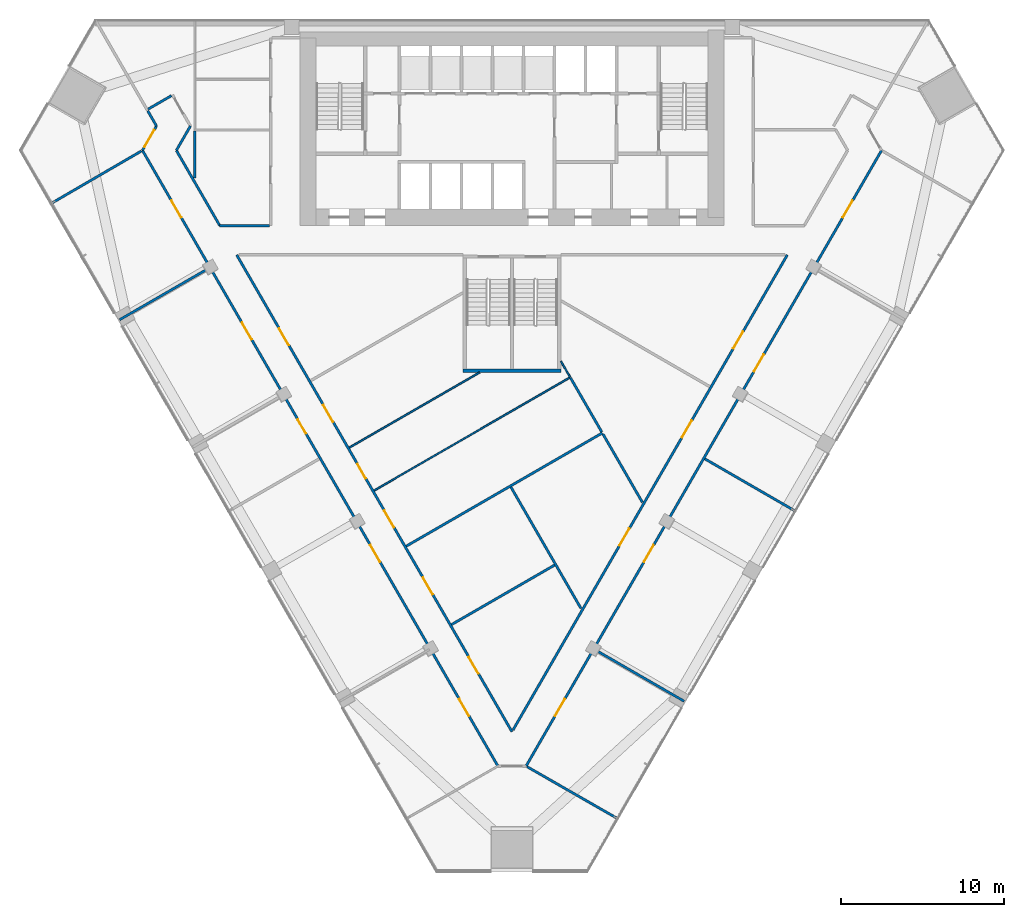
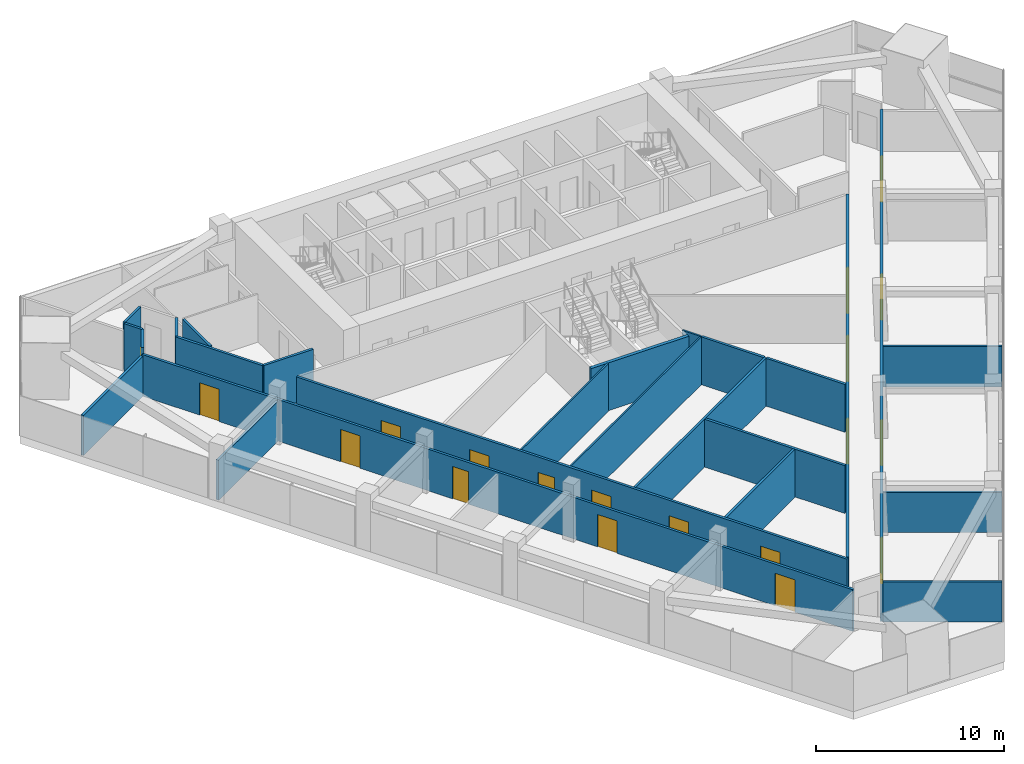
# One storey, part 9 of 14: 25 walls, 19 doors, 19 openings.
"""IFC4 building model written with IfcOpenShell, lengths in metres."""

from ifc_helpers import new_model, si_unit, direction, frame, frame_2d, origin, place, context, subcontext, project, spatial, rectangle, extrude, material, layer, layer_set, type_object, element, fill, save


model = new_model("IFC4")

# Units and contexts
model_context = context("Model", 3, precision=1e-05, world=origin(), true_north=direction((0.0, 1.0)))
body_context = subcontext(model_context, "Body", "Model", "MODEL_VIEW")
ifc_project = project(units=[si_unit("LENGTHUNIT", "METRE"), si_unit("AREAUNIT", "SQUARE_METRE"), si_unit("VOLUMEUNIT", "CUBIC_METRE"), si_unit("PLANEANGLEUNIT", "RADIAN"), si_unit("MASSUNIT", "GRAM", prefix="KILO")], contexts=[model_context])

# Site, building, storey
site_placement = place(None, origin())
site = spatial("IfcSite", under=ifc_project, at=site_placement, CompositionType="ELEMENT")
building_placement = place(site_placement, origin())
building = spatial("IfcBuilding", under=site, at=building_placement, Name="Altiplano Prism Tower", CompositionType="ELEMENT")
storey_placement = place(building_placement, frame((0.0, 0.0, 63.0)))
storey = spatial("IfcBuildingStorey", under=building, at=storey_placement, Name="L15", CompositionType="ELEMENT", Elevation=63.0)

# Walls
ifc_material_1 = material(Name="Plasterboard on steel stud", Category="steel")
ifc_layer_1 = layer(ifc_material_1, 0.10009765625)
ifc_layer_set_1 = layer_set([ifc_layer_1], Name="Plasterboard on steel stud")
wall_type_1 = type_object("IfcWallType", Name="Partition 100 wet", PredefinedType="PARTITIONING", material=ifc_layer_set_1)
wall_1_placement = place(storey_placement, frame((88.568359375, 83.096923828125, 0.0), z_axis=(0.0, 0.0, 1.0), x_axis=(-0.866032668777, -0.499987416453, 0.0)))
element("IfcWall", 1, at=wall_1_placement, inside=storey, type_object=wall_type_1, Name="Partition P03 L15 048", PredefinedType="PARTITIONING", context=body_context, shape_type="SweptSolid", body=[
    extrude(rectangle(XDim=13.878173828125, YDim=0.10009765625, at=frame_2d((6.93896484375, 0.0))), origin(), (0.0, 0.0, 1.0), 3.10009765625),
])
wall_2_placement = place(storey_placement, frame((88.0, 84.081298828125, 0.0), z_axis=(0.0, 0.0, 1.0), x_axis=(0.50001992892, -0.866013897511, 0.0)))
element("IfcWall", 2, at=wall_2_placement, inside=storey, type_object=wall_type_1, Name="Partition P03 L15 050", PredefinedType="PARTITIONING", context=body_context, shape_type="SweptSolid", body=[
    extrude(rectangle(XDim=1.13671875, YDim=0.10009765625, at=frame_2d((0.568359375, 0.0))), origin(), (0.0, 0.0, 1.0), 3.10009765625),
])
wall_3_placement = place(storey_placement, frame((75.031494140625, 78.786865234375, 0.0), z_axis=(0.0, 0.0, 1.0), x_axis=(0.866037972367, 0.499978229945, 0.0)))
element("IfcWall", 3, at=wall_3_placement, inside=storey, type_object=wall_type_1, Name="Partition P03 L15 051", PredefinedType="PARTITIONING", context=body_context, shape_type="SweptSolid", body=[
    extrude(rectangle(XDim=9.2265625, YDim=0.10009765625, at=frame_2d((4.61328125, 0.0))), origin(), (0.0, 0.0, 1.0), 3.10009765625),
])
ifc_layer_2 = layer(ifc_material_1, 0.14990234375)
ifc_layer_set_2 = layer_set([ifc_layer_2], Name="Plasterboard on steel stud")
wall_type_2 = type_object("IfcWallType", Name="Partition 150 corridor", PredefinedType="PARTITIONING", material=ifc_layer_set_2)
wall_4_placement = place(storey_placement, frame((70.125, 92.39990234375, 0.0), z_axis=(0.0, 0.0, 1.0), x_axis=(-1.0, 0.0, 0.0)))
element("IfcWall", 4, at=wall_4_placement, inside=storey, type_object=wall_type_2, Name="Partition P06 L15 003", PredefinedType="PARTITIONING", context=body_context, shape_type="SweptSolid", body=[
    extrude(rectangle(XDim=3.03955078125, YDim=0.14990234375, at=frame_2d((1.519775390625, 0.0))), origin(), (0.0, 0.0, 1.0), 3.10009765625),
])
wall_5_placement = place(storey_placement, frame((67.08544921875, 92.39990234375, 0.0), z_axis=(0.0, 0.0, 1.0), x_axis=(-0.500019109324, 0.86601437073, 0.0)))
element("IfcWall", 5, at=wall_5_placement, inside=storey, type_object=wall_type_2, Name="Partition P06 L15 004", PredefinedType="PARTITIONING", context=body_context, shape_type="SweptSolid", body=[
    extrude(rectangle(XDim=5.319091796875, YDim=0.14990234375, at=frame_2d((2.65966796875, 0.0))), origin(), (0.0, 0.0, 1.0), 3.10009765625),
])
wall_6_placement = place(storey_placement, frame((64.42578125, 97.00634765625, 0.0), z_axis=(0.0, 0.0, 1.0), x_axis=(0.500081852351, 0.86597814115, 0.0)))
element("IfcWall", 6, at=wall_6_placement, inside=storey, type_object=wall_type_2, Name="Partition P06 L15 005", PredefinedType="PARTITIONING", context=body_context, shape_type="SweptSolid", body=[
    extrude(rectangle(XDim=1.724853515625, YDim=0.14990234375, at=frame_2d((0.8623046875, 0.0))), origin(), (0.0, 0.0, 1.0), 3.10009765625),
])
wall_7_placement = place(storey_placement, frame((64.12646484375, 100.362548828125, 0.0), z_axis=(0.0, 0.0, 1.0), x_axis=(-0.866040211805, -0.499974350878, 0.0)))
element("IfcWall", 7, at=wall_7_placement, inside=storey, type_object=wall_type_2, Name="Partition P06 L15 007", PredefinedType="PARTITIONING", context=body_context, shape_type="SweptSolid", body=[
    extrude(rectangle(XDim=1.64990234375, YDim=0.14990234375, at=frame_2d((0.824951171875, 0.0))), origin(), (0.0, 0.0, 1.0), 3.10009765625),
])
wall_8_placement = place(storey_placement, frame((62.669921875, 99.43505859375, 0.0), z_axis=(0.0, 0.0, 1.0), x_axis=(0.499957341738, -0.866050031143, 0.0)))
element("IfcWall", 8, at=wall_8_placement, inside=storey, type_object=wall_type_2, Name="Partition P06 L15 008", PredefinedType="PARTITIONING", context=body_context, shape_type="SweptSolid", body=[
    extrude(rectangle(XDim=1.07958984375, YDim=0.14990234375, at=frame_2d((0.539794921875, 0.0))), origin(), (0.0, 0.0, 1.0), 3.10009765625),
])

# Wall, opening, door
wall_9_placement = place(storey_placement, frame((63.209716796875, 98.5, 0.0), z_axis=(0.0, 0.0, 1.0), x_axis=(-0.499975693202, -0.866039436866, 0.0)))
wall_9 = element("IfcWall", 9, at=wall_9_placement, inside=storey, type_object=wall_type_2, Name="Partition P06 L15 009", PredefinedType="PARTITIONING", context=body_context, shape_type="SweptSolid", body=[
    extrude(rectangle(XDim=1.724609375, YDim=0.14990234375, at=frame_2d((0.8623046875, 0.0))), origin(), (0.0, 0.0, 1.0), 3.10009765625),
])
opening_1_placement = place(wall_9_placement, frame((0.284912109375, 0.0, 0.0)))
opening_1 = element("IfcOpeningElement", 10, at=opening_1_placement, cuts=wall_9, Name="Opening D0600", PredefinedType="OPENING", context=body_context, shape_type="SweptSolid", body=[
    extrude(rectangle(XDim=1.199951171875, YDim=2.10009765625, at=frame_2d((0.60009765625, 1.050048828125))), frame((0.0, 0.08544921875, 0.0), z_axis=(0.0, -1.0, 0.0), x_axis=(1.0, 0.0, 0.0)), (0.0, 0.0, 1.0), 0.1708984375),
])
ifc_material_2 = material(Name="Timber", Category="wood")
door_type_1 = type_object("IfcDoorType", Name="Shared room door 1200 x 2100", OperationType="NOTDEFINED", PredefinedType="NOTDEFINED", material=ifc_material_2)
door_1_placement = place(opening_1_placement, origin())
door_1 = element("IfcDoor", 11, at=door_1_placement, inside=storey, type_object=door_type_1, Name="Door D0600", OperationType="SINGLE_SWING_RIGHT", OverallHeight=2.10009765625, OverallWidth=1.199951171875, PredefinedType="NOTDEFINED", context=body_context, shape_type="SweptSolid", body=[
    extrude(rectangle(XDim=1.199951171875, YDim=2.10009765625, at=frame_2d((0.60009765625, 1.050048828125))), frame((0.0, 0.02490234375, 0.0), z_axis=(0.0, -1.0, 0.0), x_axis=(1.0, 0.0, 0.0)), (0.0, 0.0, 1.0), 0.050048828125),
])
fill(opening_1, door_1)

# Wall, openings, doors
wall_10_placement = place(storey_placement, frame((62.347412109375, 97.00634765625, 0.0), z_axis=(0.0, 0.0, 1.0), x_axis=(0.500001772576, -0.866024380385, 0.0)))
wall_10 = element("IfcWall", 12, at=wall_10_placement, inside=storey, type_object=wall_type_2, Name="Partition P06 L15 010", PredefinedType="PARTITIONING", context=body_context, shape_type="SweptSolid", body=[
    extrude(rectangle(XDim=43.580322265625, YDim=0.14990234375, at=frame_2d((21.7900390625, 0.0))), origin(), (0.0, 0.0, 1.0), 2.699951171875),
])
opening_2_placement = place(wall_10_placement, frame((3.550048828125, 0.0, 0.0)))
opening_2 = element("IfcOpeningElement", 13, at=opening_2_placement, cuts=wall_10, Name="Opening D0601", PredefinedType="OPENING", context=body_context, shape_type="SweptSolid", body=[
    extrude(rectangle(XDim=1.199951171875, YDim=2.10009765625, at=frame_2d((0.60009765625, 1.050048828125))), frame((0.0, 0.08544921875, 0.0), z_axis=(0.0, -1.0, 0.0), x_axis=(1.0, 0.0, 0.0)), (0.0, 0.0, 1.0), 0.1708984375),
])
opening_3_placement = place(wall_10_placement, frame((12.18994140625, 0.0, 0.0)))
opening_3 = element("IfcOpeningElement", 14, at=opening_3_placement, cuts=wall_10, Name="Opening D0602", PredefinedType="OPENING", context=body_context, shape_type="SweptSolid", body=[
    extrude(rectangle(XDim=1.199951171875, YDim=2.10009765625, at=frame_2d((0.60009765625, 1.050048828125))), frame((0.0, 0.08544921875, 0.0), z_axis=(0.0, -1.0, 0.0), x_axis=(1.0, 0.0, 0.0)), (0.0, 0.0, 1.0), 0.1708984375),
])
opening_4_placement = place(wall_10_placement, frame((19.0400390625, 0.0, 0.0)))
opening_4 = element("IfcOpeningElement", 15, at=opening_4_placement, cuts=wall_10, Name="Opening D0603", PredefinedType="OPENING", context=body_context, shape_type="SweptSolid", body=[
    extrude(rectangle(XDim=1.0, YDim=2.10009765625, at=frame_2d((0.5, 1.050048828125))), frame((0.0, 0.08544921875, 0.0), z_axis=(0.0, -1.0, 0.0), x_axis=(1.0, 0.0, 0.0)), (0.0, 0.0, 1.0), 0.1708984375),
])
opening_5_placement = place(wall_10_placement, frame((27.93994140625, 0.0, 0.0)))
opening_5 = element("IfcOpeningElement", 16, at=opening_5_placement, cuts=wall_10, Name="Opening D0604", PredefinedType="OPENING", context=body_context, shape_type="SweptSolid", body=[
    extrude(rectangle(XDim=1.199951171875, YDim=2.10009765625, at=frame_2d((0.60009765625, 1.050048828125))), frame((0.0, 0.08544921875, 0.0), z_axis=(0.0, -1.0, 0.0), x_axis=(1.0, 0.0, 0.0)), (0.0, 0.0, 1.0), 0.1708984375),
])
opening_6_placement = place(wall_10_placement, frame((38.8310546875, 0.0, 0.0)))
opening_6 = element("IfcOpeningElement", 17, at=opening_6_placement, cuts=wall_10, Name="Opening D0605", PredefinedType="OPENING", context=body_context, shape_type="SweptSolid", body=[
    extrude(rectangle(XDim=1.199951171875, YDim=2.10009765625, at=frame_2d((0.60009765625, 1.050048828125))), frame((0.0, 0.08544921875, 0.0), z_axis=(0.0, -1.0, 0.0), x_axis=(1.0, 0.0, 0.0)), (0.0, 0.0, 1.0), 0.1708984375),
])
door_type_2 = type_object("IfcDoorType", Name="Room door 1000 x 2100", OperationType="NOTDEFINED", PredefinedType="NOTDEFINED", material=ifc_material_2)
door_2_placement = place(opening_4_placement, origin())
door_2 = element("IfcDoor", 18, at=door_2_placement, inside=storey, type_object=door_type_2, Name="Door D0603", OperationType="SINGLE_SWING_RIGHT", OverallHeight=2.10009765625, OverallWidth=1.0, PredefinedType="NOTDEFINED", context=body_context, shape_type="SweptSolid", body=[
    extrude(rectangle(XDim=1.0, YDim=2.10009765625, at=frame_2d((0.5, 1.050048828125))), frame((0.0, 0.02490234375, 0.0), z_axis=(0.0, -1.0, 0.0), x_axis=(1.0, 0.0, 0.0)), (0.0, 0.0, 1.0), 0.050048828125),
])
fill(opening_4, door_2)
door_3_placement = place(opening_2_placement, origin())
door_3 = element("IfcDoor", 19, at=door_3_placement, inside=storey, type_object=door_type_1, Name="Door D0601", OperationType="SINGLE_SWING_RIGHT", OverallHeight=2.10009765625, OverallWidth=1.199951171875, PredefinedType="NOTDEFINED", context=body_context, shape_type="SweptSolid", body=[
    extrude(rectangle(XDim=1.199951171875, YDim=2.10009765625, at=frame_2d((0.60009765625, 1.050048828125))), frame((0.0, 0.02490234375, 0.0), z_axis=(0.0, -1.0, 0.0), x_axis=(1.0, 0.0, 0.0)), (0.0, 0.0, 1.0), 0.050048828125),
])
fill(opening_2, door_3)
door_4_placement = place(opening_3_placement, origin())
door_4 = element("IfcDoor", 20, at=door_4_placement, inside=storey, type_object=door_type_1, Name="Door D0602", OperationType="SINGLE_SWING_LEFT", OverallHeight=2.10009765625, OverallWidth=1.199951171875, PredefinedType="NOTDEFINED", context=body_context, shape_type="SweptSolid", body=[
    extrude(rectangle(XDim=1.199951171875, YDim=2.10009765625, at=frame_2d((0.60009765625, 1.050048828125))), frame((0.0, 0.02490234375, 0.0), z_axis=(0.0, -1.0, 0.0), x_axis=(1.0, 0.0, 0.0)), (0.0, 0.0, 1.0), 0.050048828125),
])
fill(opening_3, door_4)
door_5_placement = place(opening_5_placement, origin())
door_5 = element("IfcDoor", 21, at=door_5_placement, inside=storey, type_object=door_type_1, Name="Door D0604", OperationType="SINGLE_SWING_RIGHT", OverallHeight=2.10009765625, OverallWidth=1.199951171875, PredefinedType="NOTDEFINED", context=body_context, shape_type="SweptSolid", body=[
    extrude(rectangle(XDim=1.199951171875, YDim=2.10009765625, at=frame_2d((0.60009765625, 1.050048828125))), frame((0.0, 0.02490234375, 0.0), z_axis=(0.0, -1.0, 0.0), x_axis=(1.0, 0.0, 0.0)), (0.0, 0.0, 1.0), 0.050048828125),
])
fill(opening_5, door_5)
door_6_placement = place(opening_6_placement, origin())
door_6 = element("IfcDoor", 22, at=door_6_placement, inside=storey, type_object=door_type_1, Name="Door D0605", OperationType="SINGLE_SWING_LEFT", OverallHeight=2.10009765625, OverallWidth=1.199951171875, PredefinedType="NOTDEFINED", context=body_context, shape_type="SweptSolid", body=[
    extrude(rectangle(XDim=1.199951171875, YDim=2.10009765625, at=frame_2d((0.60009765625, 1.050048828125))), frame((0.0, 0.02490234375, 0.0), z_axis=(0.0, -1.0, 0.0), x_axis=(1.0, 0.0, 0.0)), (0.0, 0.0, 1.0), 0.050048828125),
])
fill(opening_6, door_6)

wall_11_placement = place(storey_placement, frame((85.8623046875, 59.2646484375, 0.0), z_axis=(0.0, 0.0, 1.0), x_axis=(0.500001772576, 0.866024380385, 0.0)))
wall_11 = element("IfcWall", 23, at=wall_11_placement, inside=storey, type_object=wall_type_2, Name="Partition P06 L15 012", PredefinedType="PARTITIONING", context=body_context, shape_type="SweptSolid", body=[
    extrude(rectangle(XDim=43.580322265625, YDim=0.14990234375, at=frame_2d((21.7900390625, 0.0))), origin(), (0.0, 0.0, 1.0), 2.699951171875),
])
opening_7_placement = place(wall_11_placement, frame((3.550048828125, 0.0, 0.0)))
opening_7 = element("IfcOpeningElement", 24, at=opening_7_placement, cuts=wall_11, Name="Opening D0607", PredefinedType="OPENING", context=body_context, shape_type="SweptSolid", body=[
    extrude(rectangle(XDim=1.199951171875, YDim=2.10009765625, at=frame_2d((0.60009765625, 1.050048828125))), frame((0.0, 0.08544921875, 0.0), z_axis=(0.0, -1.0, 0.0), x_axis=(1.0, 0.0, 0.0)), (0.0, 0.0, 1.0), 0.1708984375),
])
opening_8_placement = place(wall_11_placement, frame((14.43994140625, 0.0, 0.0)))
opening_8 = element("IfcOpeningElement", 25, at=opening_8_placement, cuts=wall_11, Name="Opening D0608", PredefinedType="OPENING", context=body_context, shape_type="SweptSolid", body=[
    extrude(rectangle(XDim=1.199951171875, YDim=2.10009765625, at=frame_2d((0.60009765625, 1.050048828125))), frame((0.0, 0.08544921875, 0.0), z_axis=(0.0, -1.0, 0.0), x_axis=(1.0, 0.0, 0.0)), (0.0, 0.0, 1.0), 0.1708984375),
])
opening_9_placement = place(wall_11_placement, frame((27.93994140625, 0.0, 0.0)))
opening_9 = element("IfcOpeningElement", 26, at=opening_9_placement, cuts=wall_11, Name="Opening D0609", PredefinedType="OPENING", context=body_context, shape_type="SweptSolid", body=[
    extrude(rectangle(XDim=1.199951171875, YDim=2.10009765625, at=frame_2d((0.60009765625, 1.050048828125))), frame((0.0, 0.08544921875, 0.0), z_axis=(0.0, -1.0, 0.0), x_axis=(1.0, 0.0, 0.0)), (0.0, 0.0, 1.0), 0.1708984375),
])
opening_10_placement = place(wall_11_placement, frame((38.8310546875, 0.0, 0.0)))
opening_10 = element("IfcOpeningElement", 27, at=opening_10_placement, cuts=wall_11, Name="Opening D0610", PredefinedType="OPENING", context=body_context, shape_type="SweptSolid", body=[
    extrude(rectangle(XDim=1.199951171875, YDim=2.10009765625, at=frame_2d((0.60009765625, 1.050048828125))), frame((0.0, 0.08544921875, 0.0), z_axis=(0.0, -1.0, 0.0), x_axis=(1.0, 0.0, 0.0)), (0.0, 0.0, 1.0), 0.1708984375),
])
door_7_placement = place(opening_7_placement, origin())
door_7 = element("IfcDoor", 28, at=door_7_placement, inside=storey, type_object=door_type_1, Name="Door D0607", OperationType="SINGLE_SWING_RIGHT", OverallHeight=2.10009765625, OverallWidth=1.199951171875, PredefinedType="NOTDEFINED", context=body_context, shape_type="SweptSolid", body=[
    extrude(rectangle(XDim=1.199951171875, YDim=2.10009765625, at=frame_2d((0.60009765625, 1.050048828125))), frame((0.0, 0.02490234375, 0.0), z_axis=(0.0, -1.0, 0.0), x_axis=(1.0, 0.0, 0.0)), (0.0, 0.0, 1.0), 0.050048828125),
])
fill(opening_7, door_7)
door_8_placement = place(opening_8_placement, origin())
door_8 = element("IfcDoor", 29, at=door_8_placement, inside=storey, type_object=door_type_1, Name="Door D0608", OperationType="SINGLE_SWING_RIGHT", OverallHeight=2.10009765625, OverallWidth=1.199951171875, PredefinedType="NOTDEFINED", context=body_context, shape_type="SweptSolid", body=[
    extrude(rectangle(XDim=1.199951171875, YDim=2.10009765625, at=frame_2d((0.60009765625, 1.050048828125))), frame((0.0, 0.02490234375, 0.0), z_axis=(0.0, -1.0, 0.0), x_axis=(1.0, 0.0, 0.0)), (0.0, 0.0, 1.0), 0.050048828125),
])
fill(opening_8, door_8)
door_9_placement = place(opening_9_placement, origin())
door_9 = element("IfcDoor", 30, at=door_9_placement, inside=storey, type_object=door_type_1, Name="Door D0609", OperationType="SINGLE_SWING_RIGHT", OverallHeight=2.10009765625, OverallWidth=1.199951171875, PredefinedType="NOTDEFINED", context=body_context, shape_type="SweptSolid", body=[
    extrude(rectangle(XDim=1.199951171875, YDim=2.10009765625, at=frame_2d((0.60009765625, 1.050048828125))), frame((0.0, 0.02490234375, 0.0), z_axis=(0.0, -1.0, 0.0), x_axis=(1.0, 0.0, 0.0)), (0.0, 0.0, 1.0), 0.050048828125),
])
fill(opening_9, door_9)
door_10_placement = place(opening_10_placement, origin())
door_10 = element("IfcDoor", 31, at=door_10_placement, inside=storey, type_object=door_type_1, Name="Door D0610", OperationType="SINGLE_SWING_RIGHT", OverallHeight=2.10009765625, OverallWidth=1.199951171875, PredefinedType="NOTDEFINED", context=body_context, shape_type="SweptSolid", body=[
    extrude(rectangle(XDim=1.199951171875, YDim=2.10009765625, at=frame_2d((0.60009765625, 1.050048828125))), frame((0.0, 0.02490234375, 0.0), z_axis=(0.0, -1.0, 0.0), x_axis=(1.0, 0.0, 0.0)), (0.0, 0.0, 1.0), 0.050048828125),
])
fill(opening_10, door_10)

wall_12_placement = place(storey_placement, frame((101.87548828125, 90.60009765625, 0.0), z_axis=(0.0, 0.0, 1.0), x_axis=(-0.500000284267, -0.866025239663, 0.0)))
wall_12 = element("IfcWall", 32, at=wall_12_placement, inside=storey, type_object=wall_type_2, Name="Partition P06 L15 016", PredefinedType="PARTITIONING", context=body_context, shape_type="SweptSolid", body=[
    extrude(rectangle(XDim=33.62109375, YDim=0.14990234375, at=frame_2d((16.810546875, 0.0))), origin(), (0.0, 0.0, 1.0), 3.10009765625),
])
opening_11_placement = place(wall_12_placement, frame((5.4189453125, 0.0, 0.0)))
opening_11 = element("IfcOpeningElement", 33, at=opening_11_placement, cuts=wall_12, Name="Opening D0612", PredefinedType="OPENING", context=body_context, shape_type="SweptSolid", body=[
    extrude(rectangle(XDim=1.199951171875, YDim=2.10009765625, at=frame_2d((0.60009765625, 1.050048828125))), frame((0.0, 0.08544921875, 0.0), z_axis=(0.0, -1.0, 0.0), x_axis=(1.0, 0.0, 0.0)), (0.0, 0.0, 1.0), 0.1708984375),
])
opening_12_placement = place(wall_12_placement, frame((11.715087890625, 0.0, 0.0)))
opening_12 = element("IfcOpeningElement", 34, at=opening_12_placement, cuts=wall_12, Name="Opening D0616", PredefinedType="OPENING", context=body_context, shape_type="SweptSolid", body=[
    extrude(rectangle(XDim=1.199951171875, YDim=2.10009765625, at=frame_2d((0.60009765625, 1.050048828125))), frame((0.0, 0.08544921875, 0.0), z_axis=(0.0, -1.0, 0.0), x_axis=(1.0, 0.0, 0.0)), (0.0, 0.0, 1.0), 0.1708984375),
])
opening_13_placement = place(wall_12_placement, frame((19.366943359375, 0.0, 0.0)))
opening_13 = element("IfcOpeningElement", 35, at=opening_13_placement, cuts=wall_12, Name="Opening D0618", PredefinedType="OPENING", context=body_context, shape_type="SweptSolid", body=[
    extrude(rectangle(XDim=1.199951171875, YDim=2.10009765625, at=frame_2d((0.60009765625, 1.050048828125))), frame((0.0, 0.08544921875, 0.0), z_axis=(0.0, -1.0, 0.0), x_axis=(1.0, 0.0, 0.0)), (0.0, 0.0, 1.0), 0.1708984375),
])
door_11_placement = place(opening_11_placement, origin())
door_11 = element("IfcDoor", 36, at=door_11_placement, inside=storey, type_object=door_type_1, Name="Door D0612", OperationType="SINGLE_SWING_LEFT", OverallHeight=2.10009765625, OverallWidth=1.199951171875, PredefinedType="NOTDEFINED", context=body_context, shape_type="SweptSolid", body=[
    extrude(rectangle(XDim=1.199951171875, YDim=2.10009765625, at=frame_2d((0.60009765625, 1.050048828125))), frame((0.0, 0.02490234375, 0.0), z_axis=(0.0, -1.0, 0.0), x_axis=(1.0, 0.0, 0.0)), (0.0, 0.0, 1.0), 0.050048828125),
])
fill(opening_11, door_11)
door_12_placement = place(opening_12_placement, origin())
door_12 = element("IfcDoor", 37, at=door_12_placement, inside=storey, type_object=door_type_1, Name="Door D0616", OperationType="SINGLE_SWING_RIGHT", OverallHeight=2.10009765625, OverallWidth=1.199951171875, PredefinedType="NOTDEFINED", context=body_context, shape_type="SweptSolid", body=[
    extrude(rectangle(XDim=1.199951171875, YDim=2.10009765625, at=frame_2d((0.60009765625, 1.050048828125))), frame((0.0, 0.02490234375, 0.0), z_axis=(0.0, -1.0, 0.0), x_axis=(1.0, 0.0, 0.0)), (0.0, 0.0, 1.0), 0.050048828125),
])
fill(opening_12, door_12)
door_13_placement = place(opening_13_placement, origin())
door_13 = element("IfcDoor", 38, at=door_13_placement, inside=storey, type_object=door_type_1, Name="Door D0618", OperationType="SINGLE_SWING_RIGHT", OverallHeight=2.10009765625, OverallWidth=1.199951171875, PredefinedType="NOTDEFINED", context=body_context, shape_type="SweptSolid", body=[
    extrude(rectangle(XDim=1.199951171875, YDim=2.10009765625, at=frame_2d((0.60009765625, 1.050048828125))), frame((0.0, 0.02490234375, 0.0), z_axis=(0.0, -1.0, 0.0), x_axis=(1.0, 0.0, 0.0)), (0.0, 0.0, 1.0), 0.050048828125),
])
fill(opening_13, door_13)

wall_13_placement = place(storey_placement, frame((85.0, 61.370849609375, 0.0), z_axis=(0.0, 0.0, 1.0), x_axis=(-0.499999423421, 0.866025736672, 0.0)))
wall_13 = element("IfcWall", 39, at=wall_13_placement, inside=storey, type_object=wall_type_2, Name="Partition P06 L15 021", PredefinedType="PARTITIONING", context=body_context, shape_type="SweptSolid", body=[
    extrude(rectangle(XDim=33.7509765625, YDim=0.14990234375, at=frame_2d((16.87548828125, 0.0))), origin(), (0.0, 0.0, 1.0), 3.10009765625),
])
opening_14_placement = place(wall_13_placement, frame((27.35400390625, 0.0, 0.0)))
opening_14 = element("IfcOpeningElement", 40, at=opening_14_placement, cuts=wall_13, Name="Opening D0613", PredefinedType="OPENING", context=body_context, shape_type="SweptSolid", body=[
    extrude(rectangle(XDim=1.199951171875, YDim=2.10009765625, at=frame_2d((0.60009765625, 1.050048828125))), frame((0.0, 0.08544921875, 0.0), z_axis=(0.0, -1.0, 0.0), x_axis=(1.0, 0.0, 0.0)), (0.0, 0.0, 1.0), 0.1708984375),
])
opening_15_placement = place(wall_13_placement, frame((14.4619140625, 0.0, 0.0)))
opening_15 = element("IfcOpeningElement", 41, at=opening_15_placement, cuts=wall_13, Name="Opening D0615", PredefinedType="OPENING", context=body_context, shape_type="SweptSolid", body=[
    extrude(rectangle(XDim=1.199951171875, YDim=2.10009765625, at=frame_2d((0.60009765625, 1.050048828125))), frame((0.0, 0.08544921875, 0.0), z_axis=(0.0, -1.0, 0.0), x_axis=(1.0, 0.0, 0.0)), (0.0, 0.0, 1.0), 0.1708984375),
])
opening_16_placement = place(wall_13_placement, frame((21.93505859375, 0.0, 0.0)))
opening_16 = element("IfcOpeningElement", 42, at=opening_16_placement, cuts=wall_13, Name="Opening D0617", PredefinedType="OPENING", context=body_context, shape_type="SweptSolid", body=[
    extrude(rectangle(XDim=1.199951171875, YDim=2.10009765625, at=frame_2d((0.60009765625, 1.050048828125))), frame((0.0, 0.08544921875, 0.0), z_axis=(0.0, -1.0, 0.0), x_axis=(1.0, 0.0, 0.0)), (0.0, 0.0, 1.0), 0.1708984375),
])
opening_17_placement = place(wall_13_placement, frame((9.718017578125, 0.0, 0.0)))
opening_17 = element("IfcOpeningElement", 43, at=opening_17_placement, cuts=wall_13, Name="Opening D0619", PredefinedType="OPENING", context=body_context, shape_type="SweptSolid", body=[
    extrude(rectangle(XDim=1.199951171875, YDim=2.10009765625, at=frame_2d((0.60009765625, 1.050048828125))), frame((0.0, 0.08544921875, 0.0), z_axis=(0.0, -1.0, 0.0), x_axis=(1.0, 0.0, 0.0)), (0.0, 0.0, 1.0), 0.1708984375),
])
opening_18_placement = place(wall_13_placement, frame((4.10302734375, 0.0, 0.0)))
opening_18 = element("IfcOpeningElement", 44, at=opening_18_placement, cuts=wall_13, Name="Opening D0620", PredefinedType="OPENING", context=body_context, shape_type="SweptSolid", body=[
    extrude(rectangle(XDim=1.199951171875, YDim=2.10009765625, at=frame_2d((0.60009765625, 1.050048828125))), frame((0.0, 0.08544921875, 0.0), z_axis=(0.0, -1.0, 0.0), x_axis=(1.0, 0.0, 0.0)), (0.0, 0.0, 1.0), 0.1708984375),
])
opening_19_placement = place(wall_13_placement, frame((17.93896484375, 0.0, 0.0)))
opening_19 = element("IfcOpeningElement", 45, at=opening_19_placement, cuts=wall_13, Name="Opening D0621", PredefinedType="OPENING", context=body_context, shape_type="SweptSolid", body=[
    extrude(rectangle(XDim=1.0, YDim=2.10009765625, at=frame_2d((0.5, 1.050048828125))), frame((0.0, 0.08544921875, 0.0), z_axis=(0.0, -1.0, 0.0), x_axis=(1.0, 0.0, 0.0)), (0.0, 0.0, 1.0), 0.1708984375),
])
door_14_placement = place(opening_19_placement, origin())
door_14 = element("IfcDoor", 46, at=door_14_placement, inside=storey, type_object=door_type_2, Name="Door D0621", OperationType="SINGLE_SWING_RIGHT", OverallHeight=2.10009765625, OverallWidth=1.0, PredefinedType="NOTDEFINED", context=body_context, shape_type="SweptSolid", body=[
    extrude(rectangle(XDim=1.0, YDim=2.10009765625, at=frame_2d((0.5, 1.050048828125))), frame((0.0, 0.02490234375, 0.0), z_axis=(0.0, -1.0, 0.0), x_axis=(1.0, 0.0, 0.0)), (0.0, 0.0, 1.0), 0.050048828125),
])
fill(opening_19, door_14)
door_15_placement = place(opening_14_placement, origin())
door_15 = element("IfcDoor", 47, at=door_15_placement, inside=storey, type_object=door_type_1, Name="Door D0613", OperationType="SINGLE_SWING_LEFT", OverallHeight=2.10009765625, OverallWidth=1.199951171875, PredefinedType="NOTDEFINED", context=body_context, shape_type="SweptSolid", body=[
    extrude(rectangle(XDim=1.199951171875, YDim=2.10009765625, at=frame_2d((0.60009765625, 1.050048828125))), frame((0.0, 0.02490234375, 0.0), z_axis=(0.0, -1.0, 0.0), x_axis=(1.0, 0.0, 0.0)), (0.0, 0.0, 1.0), 0.050048828125),
])
fill(opening_14, door_15)
door_16_placement = place(opening_15_placement, origin())
door_16 = element("IfcDoor", 48, at=door_16_placement, inside=storey, type_object=door_type_1, Name="Door D0615", OperationType="SINGLE_SWING_LEFT", OverallHeight=2.10009765625, OverallWidth=1.199951171875, PredefinedType="NOTDEFINED", context=body_context, shape_type="SweptSolid", body=[
    extrude(rectangle(XDim=1.199951171875, YDim=2.10009765625, at=frame_2d((0.60009765625, 1.050048828125))), frame((0.0, 0.02490234375, 0.0), z_axis=(0.0, -1.0, 0.0), x_axis=(1.0, 0.0, 0.0)), (0.0, 0.0, 1.0), 0.050048828125),
])
fill(opening_15, door_16)
door_17_placement = place(opening_16_placement, origin())
door_17 = element("IfcDoor", 49, at=door_17_placement, inside=storey, type_object=door_type_1, Name="Door D0617", OperationType="SINGLE_SWING_LEFT", OverallHeight=2.10009765625, OverallWidth=1.199951171875, PredefinedType="NOTDEFINED", context=body_context, shape_type="SweptSolid", body=[
    extrude(rectangle(XDim=1.199951171875, YDim=2.10009765625, at=frame_2d((0.60009765625, 1.050048828125))), frame((0.0, 0.02490234375, 0.0), z_axis=(0.0, -1.0, 0.0), x_axis=(1.0, 0.0, 0.0)), (0.0, 0.0, 1.0), 0.050048828125),
])
fill(opening_16, door_17)
door_18_placement = place(opening_17_placement, origin())
door_18 = element("IfcDoor", 50, at=door_18_placement, inside=storey, type_object=door_type_1, Name="Door D0619", OperationType="SINGLE_SWING_LEFT", OverallHeight=2.10009765625, OverallWidth=1.199951171875, PredefinedType="NOTDEFINED", context=body_context, shape_type="SweptSolid", body=[
    extrude(rectangle(XDim=1.199951171875, YDim=2.10009765625, at=frame_2d((0.60009765625, 1.050048828125))), frame((0.0, 0.02490234375, 0.0), z_axis=(0.0, -1.0, 0.0), x_axis=(1.0, 0.0, 0.0)), (0.0, 0.0, 1.0), 0.050048828125),
])
fill(opening_17, door_18)
door_19_placement = place(opening_18_placement, origin())
door_19 = element("IfcDoor", 51, at=door_19_placement, inside=storey, type_object=door_type_1, Name="Door D0620", OperationType="SINGLE_SWING_RIGHT", OverallHeight=2.10009765625, OverallWidth=1.199951171875, PredefinedType="NOTDEFINED", context=body_context, shape_type="SweptSolid", body=[
    extrude(rectangle(XDim=1.199951171875, YDim=2.10009765625, at=frame_2d((0.60009765625, 1.050048828125))), frame((0.0, 0.02490234375, 0.0), z_axis=(0.0, -1.0, 0.0), x_axis=(1.0, 0.0, 0.0)), (0.0, 0.0, 1.0), 0.050048828125),
])
fill(opening_18, door_19)

# Walls
ifc_layer_3 = layer(ifc_material_1, 0.14990234375)
ifc_layer_set_3 = layer_set([ifc_layer_3], Name="Plasterboard on steel stud")
wall_type_3 = type_object("IfcWallType", Name="Partition 150 party", PredefinedType="PARTITIONING", material=ifc_layer_set_3)
wall_14_placement = place(storey_placement, frame((65.561279296875, 98.203369140625, 0.0), z_axis=(0.0, 0.0, 1.0), x_axis=(0.0, -1.0, 0.0)))
element("IfcWall", 52, at=wall_14_placement, inside=storey, type_object=wall_type_3, Name="Partition P01 L15 029", PredefinedType="PARTITIONING", context=body_context, shape_type="SweptSolid", body=[
    extrude(rectangle(XDim=2.8837890625, YDim=0.14990234375, at=frame_2d((1.44189453125, 0.0))), origin(), (0.0, 0.0, 1.0), 3.10009765625),
])
for number, where, z_axis, x_axis, name in (
    (53, (56.81396484375, 93.790283203125, 0.0), (0.0, 0.0, 1.0), (0.864585576107, 0.502485603364, 0.0), "Partition P01 L15 031"),
    (54, (60.949951171875, 86.626708984375, 0.0), (0.0, 0.0, 1.0), (0.866015887322, 0.500016482634, 0.0), "Partition P01 L15 032"),
):
    element("IfcWall", number, at=place(storey_placement, frame(where, z_axis=z_axis, x_axis=x_axis)), inside=storey, type_object=wall_type_3, Name=name, PredefinedType="PARTITIONING", context=body_context, shape_type="SweptSolid", body=[
        extrude(rectangle(XDim=6.324951171875, YDim=0.14990234375, at=frame_2d((3.16259765625, 0.0))), origin(), (0.0, 0.0, 1.0), 2.60009765625),
    ])
wall_15_placement = place(storey_placement, frame((91.4140625, 56.08056640625, 0.0), z_axis=(0.0, 0.0, 1.0), x_axis=(-0.86744624663, 0.497530912816, 0.0)))
element("IfcWall", 55, at=wall_15_placement, inside=storey, type_object=wall_type_3, Name="Partition P01 L15 037", PredefinedType="PARTITIONING", context=body_context, shape_type="SweptSolid", body=[
    extrude(rectangle(XDim=6.32470703125, YDim=0.14990234375, at=frame_2d((3.162353515625, 0.0))), origin(), (0.0, 0.0, 1.0), 2.60009765625),
])
for number, where, z_axis, x_axis, name in (
    (56, (95.550048828125, 63.244140625, 0.0), (0.0, 0.0, 1.0), (-0.866032601554, 0.49998753289, 0.0), "Partition P01 L15 038"),
    (57, (102.300048828125, 74.935546875, 0.0), (0.0, 0.0, 1.0), (-0.866032601554, 0.49998753289, 0.0), "Partition P01 L15 039"),
):
    element("IfcWall", number, at=place(storey_placement, frame(where, z_axis=z_axis, x_axis=x_axis)), inside=storey, type_object=wall_type_3, Name=name, PredefinedType="PARTITIONING", context=body_context, shape_type="SweptSolid", body=[
        extrude(rectangle(XDim=6.324951171875, YDim=0.14990234375, at=frame_2d((3.16259765625, 0.0))), origin(), (0.0, 0.0, 1.0), 2.60009765625),
    ])
wall_16_placement = place(storey_placement, frame((90.49951171875, 79.751953125, 0.0), z_axis=(0.0, 0.0, 1.0), x_axis=(-0.49999591573, 0.866027761826, 0.0)))
element("IfcWall", 58, at=wall_16_placement, inside=storey, type_object=wall_type_3, Name="Partition P01 L15 046", PredefinedType="PARTITIONING", context=body_context, shape_type="SweptSolid", body=[
    extrude(rectangle(XDim=3.8125, YDim=0.14990234375, at=frame_2d((1.90625, 0.0))), origin(), (0.0, 0.0, 1.0), 3.10009765625),
])
wall_17_placement = place(storey_placement, frame((78.51806640625, 72.747802734375, 0.0), z_axis=(0.0, 0.0, 1.0), x_axis=(0.866025051501, 0.500000610173, 0.0)))
element("IfcWall", 59, at=wall_17_placement, inside=storey, type_object=wall_type_3, Name="Partition P01 L15 047", PredefinedType="PARTITIONING", context=body_context, shape_type="SweptSolid", body=[
    extrude(rectangle(XDim=13.87841796875, YDim=0.14990234375, at=frame_2d((6.939208984375, 0.0))), origin(), (0.0, 0.0, 1.0), 3.10009765625),
])
wall_18_placement = place(storey_placement, frame((90.57470703125, 79.6220703125, 0.0), z_axis=(0.0, 0.0, 1.0), x_axis=(0.499980461961, -0.866036683783, 0.0)))
element("IfcWall", 60, at=wall_18_placement, inside=storey, type_object=wall_type_3, Name="Partition P01 L15 049", PredefinedType="PARTITIONING", context=body_context, shape_type="SweptSolid", body=[
    extrude(rectangle(XDim=4.832763671875, YDim=0.14990234375, at=frame_2d((2.41650390625, 0.0))), origin(), (0.0, 0.0, 1.0), 3.10009765625),
])
wall_19_placement = place(storey_placement, frame((84.935546875, 76.3662109375, 0.0), z_axis=(0.0, 0.0, 1.0), x_axis=(0.500011049579, -0.866019024213, 0.0)))
element("IfcWall", 61, at=wall_19_placement, inside=storey, type_object=wall_type_3, Name="Partition P01 L15 052", PredefinedType="PARTITIONING", context=body_context, shape_type="SweptSolid", body=[
    extrude(rectangle(XDim=8.592041015625, YDim=0.14990234375, at=frame_2d((4.2958984375, 0.0))), origin(), (0.0, 0.0, 1.0), 3.10009765625),
])
wall_20_placement = place(storey_placement, frame((81.2939453125, 67.940185546875, 0.0), z_axis=(0.0, 0.0, 1.0), x_axis=(0.866027791843, 0.499995863738, 0.0)))
element("IfcWall", 62, at=wall_20_placement, inside=storey, type_object=wall_type_3, Name="Partition P01 L15 053", PredefinedType="PARTITIONING", context=body_context, shape_type="SweptSolid", body=[
    extrude(rectangle(XDim=7.29150390625, YDim=0.14990234375, at=frame_2d((3.645751953125, 0.0))), origin(), (0.0, 0.0, 1.0), 3.10009765625),
])
ifc_material_3 = material(Name="Concrete C60/75", Category="concrete")
ifc_layer_4 = layer(ifc_material_3, 0.199951171875)
ifc_layer_set_4 = layer_set([ifc_layer_4], Name="Concrete C60/75")
wall_type_4 = type_object("IfcWallType", Name="Stair wall 200", PredefinedType="SOLIDWALL", material=ifc_layer_set_4)
wall_21_placement = place(storey_placement, frame((82.0, 83.5, 0.0), z_axis=(0.0, 0.0, 1.0), x_axis=(1.0, 0.0, 0.0)))
element("IfcWall", 63, at=wall_21_placement, inside=storey, type_object=wall_type_4, Name="Stair 3 wall south L15", PredefinedType="SOLIDWALL", context=body_context, shape_type="SweptSolid", body=[
    extrude(rectangle(XDim=6.0, YDim=0.199951171875, at=frame_2d((3.0, 0.0))), origin(), (0.0, 0.0, 1.0), 3.10009765625),
])

save(model, "model.ifc")
